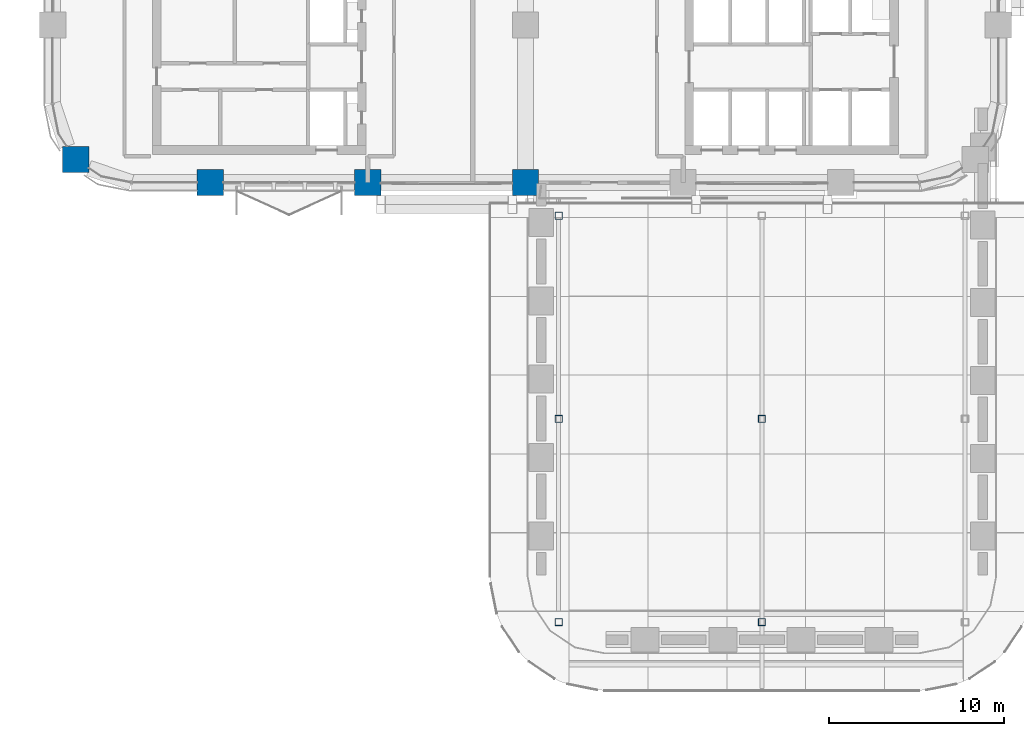
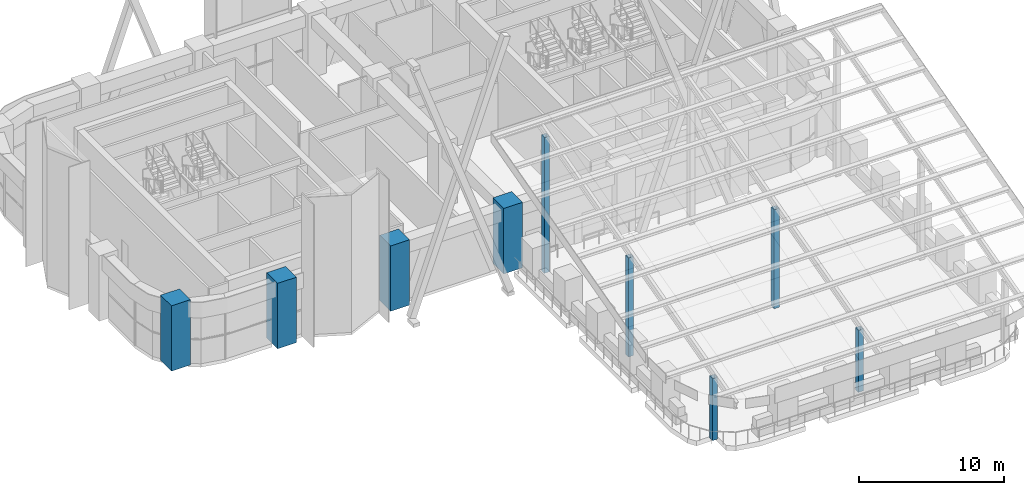
# One storey, part 1 of 22: 9 columns.
"""IFC4 building model written with IfcOpenShell, lengths in metres."""

from ifc_helpers import new_model, si_unit, direction, frame, origin, origin_2d, place, context, subcontext, project, spatial, rectangle, hollow_rectangle, extrude, material, material_profile, profile_set, type_object, element, save


model = new_model("IFC4")

# Units and contexts
model_context = context("Model", 3, precision=1e-05, world=origin(), true_north=direction((0.0, 1.0)))
body_context = subcontext(model_context, "Body", "Model", "MODEL_VIEW")
ifc_project = project(units=[si_unit("LENGTHUNIT", "METRE"), si_unit("AREAUNIT", "SQUARE_METRE"), si_unit("VOLUMEUNIT", "CUBIC_METRE"), si_unit("PLANEANGLEUNIT", "RADIAN"), si_unit("MASSUNIT", "GRAM", prefix="KILO")], contexts=[model_context])

# Site, building, storey
site_placement = place(None, origin())
site = spatial("IfcSite", under=ifc_project, at=site_placement, CompositionType="ELEMENT")
building_placement = place(site_placement, origin())
building = spatial("IfcBuilding", under=site, at=building_placement, Name="Tessera Arch", CompositionType="ELEMENT")
storey_placement = place(building_placement, frame((0.0, 0.0, 129.39990234375)))
storey = spatial("IfcBuildingStorey", under=building, at=storey_placement, Name="L30", CompositionType="ELEMENT", Elevation=129.39990234375)

# Columns
ifc_material_1 = material(Name="Steel A500 Gr C", Category="steel")
ifc_material_profile_1 = material_profile(ifc_material_1, hollow_rectangle(XDim=0.406494140625, YDim=0.406494140625, WallThickness=0.0146484375, at=origin_2d()), Name="HSS16x16x5/8")
ifc_profile_set_1 = profile_set([ifc_material_profile_1], Name="Steel A500 Gr C")
column_type_1 = type_object("IfcColumnType", Name="Crown column HSS16x16x5/8", PredefinedType="COLUMN", material=ifc_profile_set_1)
column_1_placement = place(storey_placement, frame((28.89990234375, 1.89990234375, 0.0), z_axis=(0.0, 0.0, 1.0), x_axis=(1.0, 0.0, 0.0)))
element("IfcColumn", 1, at=column_1_placement, inside=storey, type_object=column_type_1, Name="Crown column T3CC11", PredefinedType="COLUMN", context=body_context, shape_type="SweptSolid", body=[
    extrude(hollow_rectangle(XDim=0.406494140625, YDim=0.406494140625, WallThickness=0.0146484375, at=origin_2d()), origin(), (0.0, 0.0, 1.0), 5.219482421875),
])
column_2_placement = place(storey_placement, frame((28.89990234375, 13.5, 0.0), z_axis=(0.0, 0.0, 1.0), x_axis=(1.0, 0.0, 0.0)))
element("IfcColumn", 2, at=column_2_placement, inside=storey, type_object=column_type_1, Name="Crown column T3CC12", PredefinedType="COLUMN", context=body_context, shape_type="SweptSolid", body=[
    extrude(hollow_rectangle(XDim=0.406494140625, YDim=0.406494140625, WallThickness=0.0146484375, at=origin_2d()), origin(), (0.0, 0.0, 1.0), 8.327880859375),
])
column_3_placement = place(storey_placement, frame((28.89990234375, 25.10009765625, 0.0), z_axis=(0.0, 0.0, 1.0), x_axis=(1.0, 0.0, 0.0)))
element("IfcColumn", 3, at=column_3_placement, inside=storey, type_object=column_type_1, Name="Crown column T3CC13", PredefinedType="COLUMN", context=body_context, shape_type="SweptSolid", body=[
    extrude(hollow_rectangle(XDim=0.406494140625, YDim=0.406494140625, WallThickness=0.0146484375, at=origin_2d()), origin(), (0.0, 0.0, 1.0), 11.43603515625),
])
column_4_placement = place(storey_placement, frame((40.5, 1.89990234375, 0.0), z_axis=(0.0, 0.0, 1.0), x_axis=(1.0, 0.0, 0.0)))
element("IfcColumn", 4, at=column_4_placement, inside=storey, type_object=column_type_1, Name="Crown column T3CC21", PredefinedType="COLUMN", context=body_context, shape_type="SweptSolid", body=[
    extrude(hollow_rectangle(XDim=0.406494140625, YDim=0.406494140625, WallThickness=0.0146484375, at=origin_2d()), origin(), (0.0, 0.0, 1.0), 5.219482421875),
])
column_5_placement = place(storey_placement, frame((40.5, 13.5, 0.0), z_axis=(0.0, 0.0, 1.0), x_axis=(1.0, 0.0, 0.0)))
element("IfcColumn", 5, at=column_5_placement, inside=storey, type_object=column_type_1, Name="Crown column T3CC22", PredefinedType="COLUMN", context=body_context, shape_type="SweptSolid", body=[
    extrude(hollow_rectangle(XDim=0.406494140625, YDim=0.406494140625, WallThickness=0.0146484375, at=origin_2d()), origin(), (0.0, 0.0, 1.0), 8.327880859375),
])
ifc_material_2 = material(Name="Concrete C70/85", Category="concrete")
ifc_material_profile_2 = material_profile(ifc_material_2, rectangle(XDim=1.5, YDim=1.5, at=origin_2d()), Name="RC column 1500 x 1500 Concrete C70/85")
ifc_profile_set_2 = profile_set([ifc_material_profile_2], Name="Concrete C70/85")
column_type_2 = type_object("IfcColumnType", Name="RC column 1500 x 1500 Concrete C70/85", PredefinedType="COLUMN", material=ifc_profile_set_2)
for number, where, z_axis, x_axis, name in (
    (6, (1.318115234375, 28.318115234375, 0.0), (0.0, 0.0, 1.0), (1.0, 0.0, 0.0), "Column C1D L30"),
    (7, (9.0, 27.0, 0.0), (0.0, 0.0, 1.0), (1.0, 0.0, 0.0), "Column C2D L30"),
    (8, (18.0, 27.0, 0.0), (0.0, 0.0, 1.0), (1.0, 0.0, 0.0), "Column C3D L30"),
    (9, (27.0, 27.0, 0.0), (0.0, 0.0, 1.0), (1.0, 0.0, 0.0), "Column C4D L30"),
):
    element("IfcColumn", number, at=place(storey_placement, frame(where, z_axis=z_axis, x_axis=x_axis)), inside=storey, type_object=column_type_2, Name=name, PredefinedType="COLUMN", context=body_context, shape_type="SweptSolid", body=[
        extrude(rectangle(XDim=1.5, YDim=1.5, at=origin_2d()), origin(), (0.0, 0.0, 1.0), 5.5),
    ])

save(model, "model.ifc")
